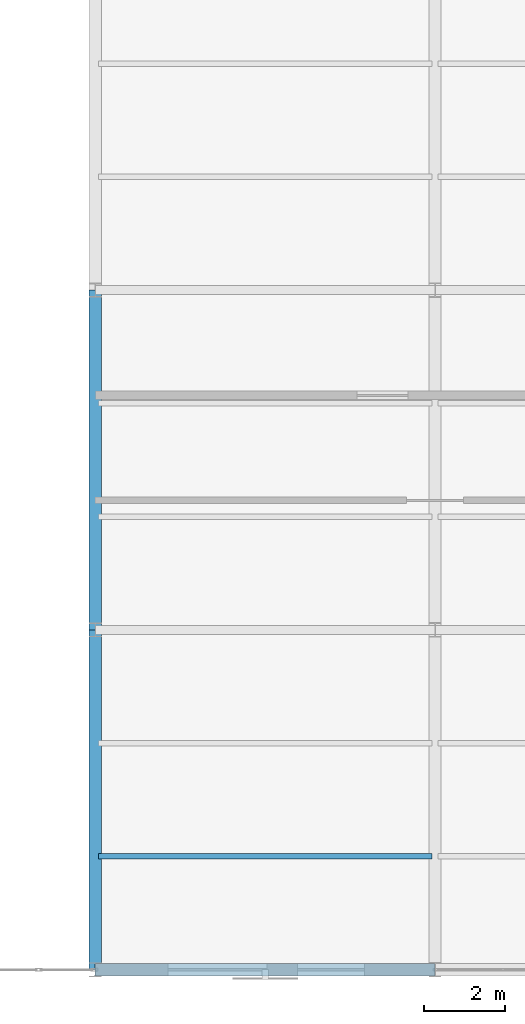
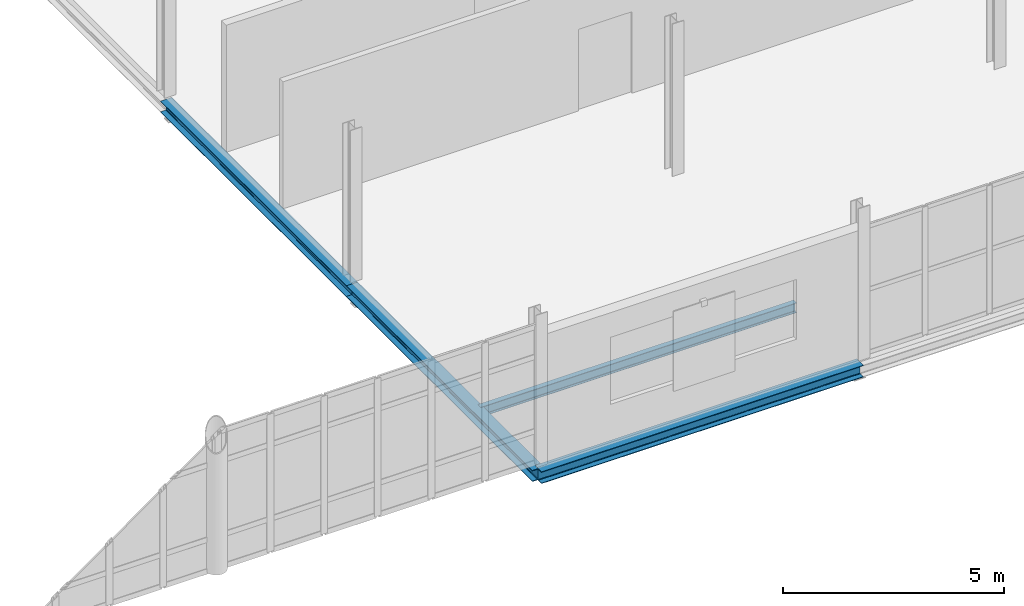
# One storey, part 63 of 163: 4 beams.
"""IFC4 building model written with IfcOpenShell, lengths in metres."""

from ifc_helpers import new_model, si_unit, direction, frame, origin, origin_2d, place, context, subcontext, project, spatial, i_section, extrude, material, material_profile, profile_set, type_object, element, save


model = new_model("IFC4")

# Units and contexts
model_context = context("Model", 3, precision=1e-05, world=origin(), true_north=direction((0.0, 1.0)))
body_context = subcontext(model_context, "Body", "Model", "MODEL_VIEW")
ifc_project = project(units=[si_unit("LENGTHUNIT", "METRE"), si_unit("AREAUNIT", "SQUARE_METRE"), si_unit("VOLUMEUNIT", "CUBIC_METRE"), si_unit("PLANEANGLEUNIT", "RADIAN"), si_unit("MASSUNIT", "GRAM", prefix="KILO")], contexts=[model_context])

# Site, building, storey
site_placement = place(None, origin())
site = spatial("IfcSite", under=ifc_project, at=site_placement, CompositionType="ELEMENT")
building_placement = place(site_placement, origin())
building = spatial("IfcBuilding", under=site, at=building_placement, Name="Qalvenar Corner Mobility Hub", CompositionType="ELEMENT")
storey_placement = place(building_placement, frame((0.0, 0.0, 4.800048828125)))
storey = spatial("IfcBuildingStorey", under=building, at=storey_placement, Name="L01", CompositionType="ELEMENT", Elevation=4.800048828125)

# Beams
ifc_material = material(Name="Steel S355", Category="steel")
ifc_material_profile_1 = material_profile(ifc_material, i_section(OverallWidth=0.135009765625, OverallDepth=0.27001953125, WebThickness=0.006591796875, FlangeThickness=0.01025390625, FilletRadius=0.014892578125, at=origin_2d()), Name="IPE270")
ifc_profile_set_1 = profile_set([ifc_material_profile_1], Name="Steel S355")
beam_type_1 = type_object("IfcBeamType", Name="BM-JST270", PredefinedType="JOIST", material=ifc_profile_set_1)
beam_1_placement = place(storey_placement, frame((109.278076171875, 2.800048828125, -0.31494140625), z_axis=(1.0, 0.0, 0.0), x_axis=(0.0, 1.0, 0.0)))
element("IfcBeam", 1, at=beam_1_placement, inside=storey, type_object=beam_type_1, Name="Composite Floor Joist J-1074", PredefinedType="JOIST", context=body_context, shape_type="SweptSolid", body=[
    extrude(i_section(OverallWidth=0.135009765625, OverallDepth=0.27001953125, WebThickness=0.006591796875, FlangeThickness=0.01025390625, FilletRadius=0.014892578125, at=origin_2d()), origin(), (0.0, 0.0, 1.0), 8.243896484375),
])
ifc_material_profile_2 = material_profile(ifc_material, i_section(OverallWidth=0.300048828125, OverallDepth=0.31005859375, WebThickness=0.009033203125, FlangeThickness=0.015380859375, FilletRadius=0.027099609375, at=origin_2d()), Name="HEA320")
ifc_profile_set_2 = profile_set([ifc_material_profile_2], Name="Steel S355")
beam_type_2 = type_object("IfcBeamType", Name="BM-SPN320", PredefinedType="SPANDREL", material=ifc_profile_set_2)
beam_2_placement = place(storey_placement, frame((109.199951171875, 0.0, -0.3349609375), z_axis=(0.0, 1.0, 0.0), x_axis=(-1.0, 0.0, 0.0)))
element("IfcBeam", 2, at=beam_2_placement, inside=storey, type_object=beam_type_2, Name="Primary Steel Girder GY-1027", PredefinedType="SPANDREL", context=body_context, shape_type="SweptSolid", body=[
    extrude(i_section(OverallWidth=0.300048828125, OverallDepth=0.31005859375, WebThickness=0.009033203125, FlangeThickness=0.015380859375, FilletRadius=0.027099609375, at=origin_2d()), origin(), (0.0, 0.0, 1.0), 8.39990234375),
])
beam_3_placement = place(storey_placement, frame((109.199951171875, 8.39990234375, -0.3349609375), z_axis=(0.0, 1.0, 0.0), x_axis=(-1.0, 0.0, 0.0)))
element("IfcBeam", 3, at=beam_3_placement, inside=storey, type_object=beam_type_2, Name="Primary Steel Girder GY-1028", PredefinedType="SPANDREL", context=body_context, shape_type="SweptSolid", body=[
    extrude(i_section(OverallWidth=0.300048828125, OverallDepth=0.31005859375, WebThickness=0.009033203125, FlangeThickness=0.015380859375, FilletRadius=0.027099609375, at=origin_2d()), origin(), (0.0, 0.0, 1.0), 8.400146484375),
])
ifc_material_profile_3 = material_profile(ifc_material, i_section(OverallWidth=0.300048828125, OverallDepth=0.330078125, WebThickness=0.009521484375, FlangeThickness=0.0166015625, FilletRadius=0.027099609375, at=origin_2d()), Name="HEA340")
ifc_profile_set_3 = profile_set([ifc_material_profile_3], Name="Steel S355")
beam_type_3 = type_object("IfcBeamType", Name="BM-SPN340", PredefinedType="SPANDREL", material=ifc_profile_set_3)
beam_4_placement = place(storey_placement, frame((109.199951171875, 0.0, -0.344970703125), z_axis=(1.0, 0.0, 0.0), x_axis=(0.0, 1.0, 0.0)))
element("IfcBeam", 4, at=beam_4_placement, inside=storey, type_object=beam_type_3, Name="Primary Steel Girder GX-0978", PredefinedType="SPANDREL", context=body_context, shape_type="SweptSolid", body=[
    extrude(i_section(OverallWidth=0.300048828125, OverallDepth=0.330078125, WebThickness=0.009521484375, FlangeThickness=0.0166015625, FilletRadius=0.027099609375, at=origin_2d()), origin(), (0.0, 0.0, 1.0), 8.400146484375),
])

save(model, "model.ifc")
